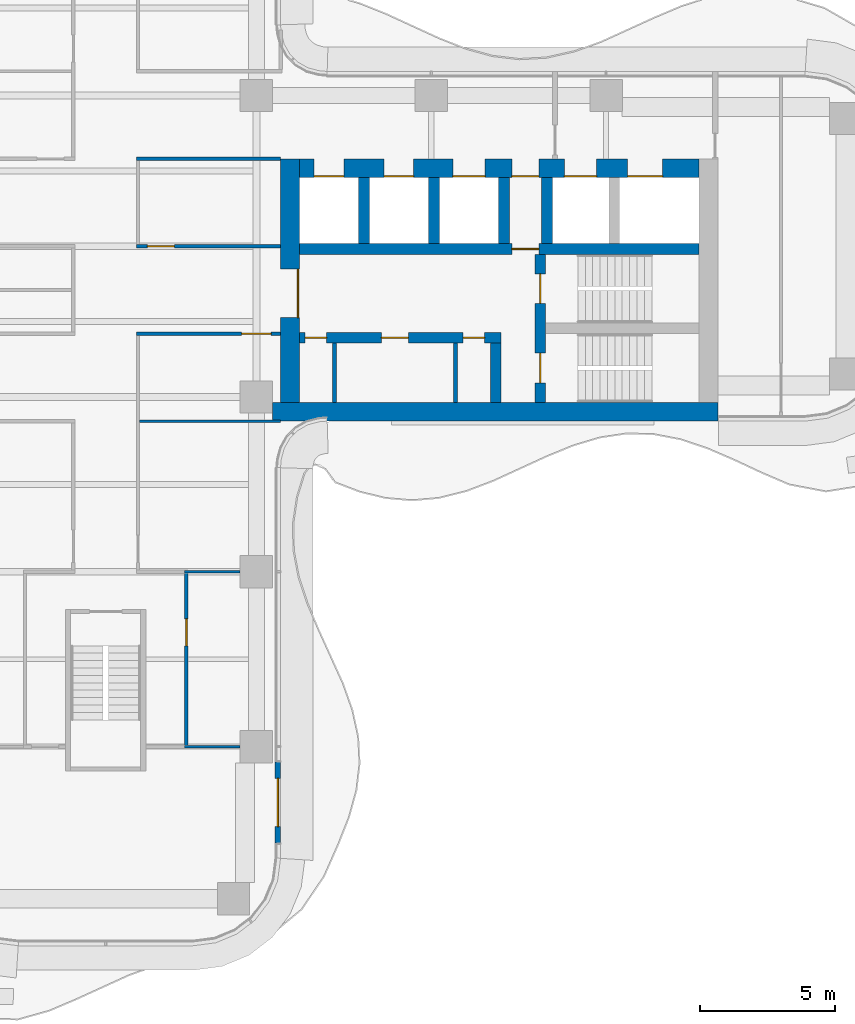
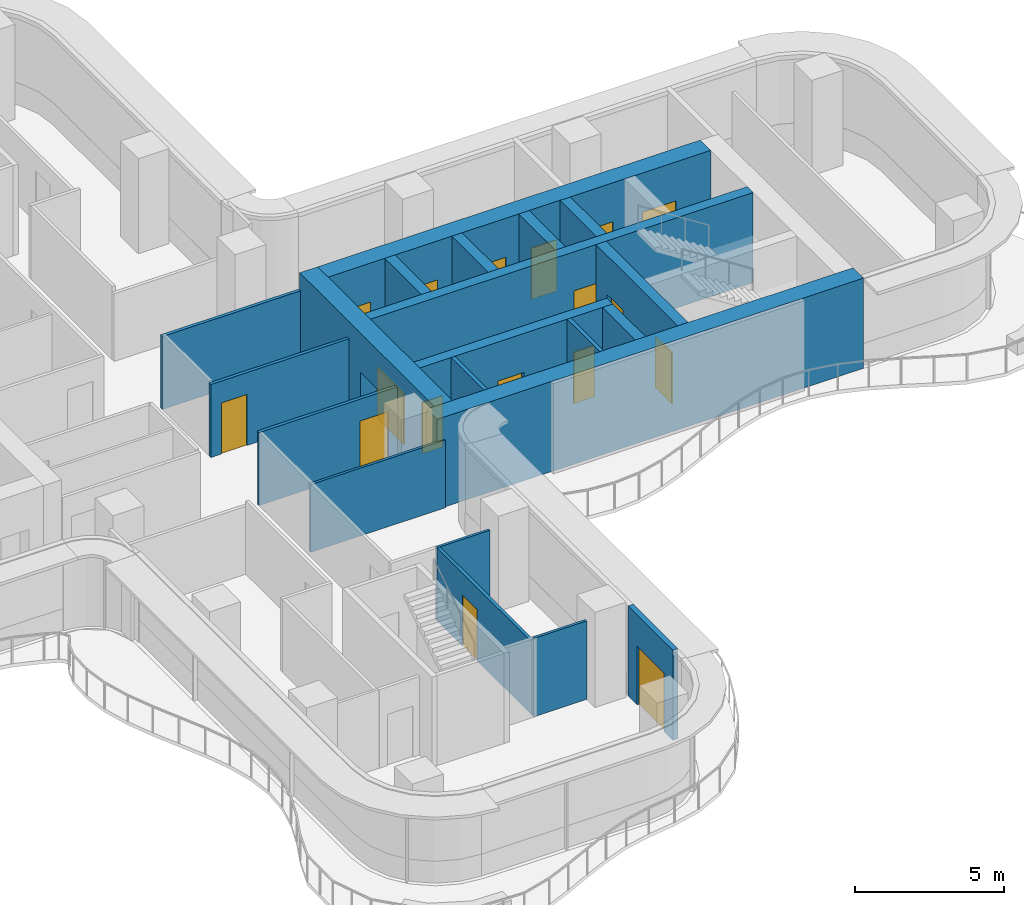
# One storey, part 15 of 19: 21 walls, 17 doors, 17 openings.
"""IFC4 building model written with IfcOpenShell, lengths in metres."""

import ifcopenshell
import ifcopenshell.guid

model = None  # the IFC model being written
_history = None  # IfcOwnerHistory: only IFC2X3 demands one
_inside = {}  # id of a spatial element -> (the spatial element, [elements in it])
_under = {}  # id of a project, library or spatial element -> (it, [spatial elements below it])
_declared = {}  # id of a project -> (the project, [libraries it declares])
_typed = {}  # id of a type object -> (the type object, [elements of that type])
_made_of = {}  # id of a material, layer set ... -> (it, [elements and type objects made of it])


def new_model(schema):
    """Start an empty IFC model of exactly this schema.

    Asked for "IFC4X3", IfcOpenShell would pick the latest addendum, in which some entities
    have other attributes; the version numbers below select the first issue.
    IFC2X3 requires an IfcOwnerHistory on every rooted entity: one is made here for all.
    """
    global model, _history
    if schema == "IFC4X3":
        model = ifcopenshell.file(schema_version=(4, 3, 0, 0))
    else:
        model = ifcopenshell.file(schema=schema)
    _inside.clear()
    _under.clear()
    _declared.clear()
    _typed.clear()
    _made_of.clear()
    _history = None
    if model.schema == "IFC2X3":
        org = make("IfcOrganization", Name="unknown")
        user = make(
            "IfcPersonAndOrganization",
            ThePerson=make("IfcPerson", FamilyName="unknown"),
            TheOrganization=org,
        )
        app = make(
            "IfcApplication",
            ApplicationDeveloper=org,
            Version="unknown",
            ApplicationFullName="unknown",
            ApplicationIdentifier="unknown",
        )
        _history = make(
            "IfcOwnerHistory",
            OwningUser=user,
            OwningApplication=app,
            ChangeAction="ADDED",
            CreationDate=0,
        )
    return model


def make(cls, **values):
    """One entity of the class cls with the attributes given. An attribute that is None is left unset."""
    return model.create_entity(
        cls, **{name: value for name, value in values.items() if value is not None}
    )


def rooted(cls, **values):
    """An entity with a GlobalId (a new one), such as an element, a storey or a relation."""
    return make(cls, GlobalId=ifcopenshell.guid.new(), OwnerHistory=_history, **values)


def si_unit(unit_type, name, prefix=None):
    """IfcSIUnit, for example si_unit("LENGTHUNIT", "METRE", prefix="MILLI")."""
    return make("IfcSIUnit", UnitType=unit_type, Prefix=prefix, Name=name)


def assignment(units):
    """IfcUnitAssignment: the units of a project."""
    return None if units is None else make("IfcUnitAssignment", Units=units)


def point(xyz):
    """IfcCartesianPoint."""
    return None if xyz is None else make("IfcCartesianPoint", Coordinates=xyz)


def direction(xyz):
    """IfcDirection."""
    return None if xyz is None else make("IfcDirection", DirectionRatios=xyz)


def frame(location, z_axis=None, x_axis=None):
    """IfcAxis2Placement3D, a coordinate frame: its origin and axes. An axis left out is left unset."""
    return make(
        "IfcAxis2Placement3D",
        Location=point(location),
        Axis=direction(z_axis),
        RefDirection=direction(x_axis),
    )


def frame_2d(location, x_axis=None):
    """IfcAxis2Placement2D, a coordinate frame in the plane: its origin and x axis."""
    return make(
        "IfcAxis2Placement2D", Location=point(location), RefDirection=direction(x_axis)
    )


def origin():
    """The frame at (0, 0, 0) with its axes left unset."""
    return frame((0.0, 0.0, 0.0))


def place(relative_to, where):
    """IfcLocalPlacement: puts the frame where relative to a parent placement (None: the world)."""
    return make(
        "IfcLocalPlacement", PlacementRelTo=relative_to, RelativePlacement=where
    )


def context(
    kind, dimensions, precision=None, world=None, true_north=None, identifier=None
):
    """IfcGeometricRepresentationContext, for example the 3D "Model" context."""
    return make(
        "IfcGeometricRepresentationContext",
        ContextIdentifier=identifier,
        ContextType=kind,
        CoordinateSpaceDimension=dimensions,
        Precision=precision,
        WorldCoordinateSystem=world,
        TrueNorth=true_north,
    )


def subcontext(parent, identifier, kind, view, scale=None):
    """IfcGeometricRepresentationSubContext, for example "Body" below "Model"."""
    return make(
        "IfcGeometricRepresentationSubContext",
        ContextIdentifier=identifier,
        ContextType=kind,
        ParentContext=parent,
        TargetScale=scale,
        TargetView=view,
    )


def project(units=None, contexts=None):
    """IfcProject with its units and contexts."""
    return rooted(
        "IfcProject",
        Name="project",
        RepresentationContexts=contexts,
        UnitsInContext=assignment(units),
    )


def spatial(cls, under=None, at=None, **own):
    """A site, building, storey or space (cls), placed at a placement, below another one or the project."""
    s = rooted(cls, ObjectPlacement=at, **own)
    if under is not None:
        _under.setdefault(under.id(), (under, []))[1].append(s)
    return s


def profile(cls, at=None, kind="AREA", **sizes):
    """A parametric profile (cls). Its sizes go by their IFC names, for example OverallWidth=200.0."""
    return make(cls, ProfileType=kind, Position=at, **sizes)


def rectangle(**sizes):
    """IfcRectangleProfileDef."""
    return profile("IfcRectangleProfileDef", **sizes)


def extrude(swept, where, along, depth):
    """IfcExtrudedAreaSolid: the profile swept, set in the frame where, extruded along a direction by depth."""
    return make(
        "IfcExtrudedAreaSolid",
        SweptArea=swept,
        Position=where,
        ExtrudedDirection=direction(along),
        Depth=depth,
    )


def shape(context_of_items, identifier, shape_type, items):
    """IfcShapeRepresentation: the items that make up one representation, for example the "Body"."""
    return make(
        "IfcShapeRepresentation",
        ContextOfItems=context_of_items,
        RepresentationIdentifier=identifier,
        RepresentationType=shape_type,
        Items=items,
    )


def source(mapping_origin, context_of_items, identifier, shape_type, items):
    """IfcRepresentationMap: a shape defined once, which mapped items show again and again."""
    return make(
        "IfcRepresentationMap",
        MappingOrigin=mapping_origin,
        MappedRepresentation=shape(context_of_items, identifier, shape_type, items),
    )


def transform(
    local_origin,
    x_axis=None,
    y_axis=None,
    z_axis=None,
    scale=None,
    scale2=None,
    scale3=None,
    uniform=True,
):
    """IfcCartesianTransformationOperator3D, or its non-uniform kind. x_axis, y_axis, z_axis: its Axis1, 2, 3."""
    if uniform:
        return make(
            "IfcCartesianTransformationOperator3D",
            Axis1=direction(x_axis),
            Axis2=direction(y_axis),
            LocalOrigin=point(local_origin),
            Scale=scale,
            Axis3=direction(z_axis),
        )
    return make(
        "IfcCartesianTransformationOperator3DnonUniform",
        Axis1=direction(x_axis),
        Axis2=direction(y_axis),
        LocalOrigin=point(local_origin),
        Scale=scale,
        Axis3=direction(z_axis),
        Scale2=scale2,
        Scale3=scale3,
    )


def mapped(mapping_source, mapping_target):
    """IfcMappedItem: shows the shape of a source again, moved by a transform."""
    return make(
        "IfcMappedItem", MappingSource=mapping_source, MappingTarget=mapping_target
    )


def material(Name=None, Category=None):
    """IfcMaterial."""
    return make("IfcMaterial", Name=Name, Category=Category)


def layer(
    of_material, thickness, ventilated=None, Name=None, Category=None, Priority=None
):
    """IfcMaterialLayer: one layer of a wall or slab, of a material (None: an air gap)."""
    return make(
        "IfcMaterialLayer",
        Material=of_material,
        LayerThickness=thickness,
        IsVentilated=ventilated,
        Name=Name,
        Category=Category,
        Priority=Priority,
    )


def layer_set(layers, Name=None):
    """IfcMaterialLayerSet."""
    return make("IfcMaterialLayerSet", MaterialLayers=layers, LayerSetName=Name)


def made_of(thing, what):
    """Note that an element or type object is made of a material, layer set ...; save() writes the relation."""
    if what is not None:
        _made_of.setdefault(what.id(), (what, []))[1].append(thing)
    return thing


def type_object(cls, material=None, **own):
    """A type object (cls), such as IfcWallType, which elements share."""
    return made_of(rooted(cls, **own), material)


def element(
    cls,
    number,
    at=None,
    inside=None,
    cuts=None,
    type_object=None,
    material=None,
    context=None,
    identifier="Body",
    shape_type=None,
    held_by="IfcProductDefinitionShape",
    body=None,
    shapes=None,
    **own,
):
    """One element of the class cls, such as IfcWall. Its Tag is "e" and its number.

    at: its placement. inside: the storey or other place that contains it. cuts: it is an
    opening in that element (IfcRelVoidsElement). A single representation is given by context,
    identifier, shape_type and body (its items); several are given by shapes. held_by: the class
    of the entity that holds the representations. save() writes the other relations.
    """
    e = rooted(cls, Tag="e%d" % number, ObjectPlacement=at, **own)
    if body is not None:
        shapes = [shape(context, identifier, shape_type, body)]
    if shapes is not None:
        e.Representation = make(held_by, Representations=shapes)
    if inside is not None:
        _inside.setdefault(inside.id(), (inside, []))[1].append(e)
    if cuts is not None:
        rooted(
            "IfcRelVoidsElement", RelatingBuildingElement=cuts, RelatedOpeningElement=e
        )
    if type_object is not None:
        _typed.setdefault(type_object.id(), (type_object, []))[1].append(e)
    return made_of(e, material)


def fill(opening, filler):
    """IfcRelFillsElement: the door or window that sits in an opening."""
    return rooted(
        "IfcRelFillsElement",
        RelatingOpeningElement=opening,
        RelatedBuildingElement=filler,
    )


def aggregate(whole, parts):
    """IfcRelAggregates: a whole, such as a stair, and the parts it consists of."""
    return rooted("IfcRelAggregates", RelatingObject=whole, RelatedObjects=parts)


def save(model, path):
    """Write the relations noted so far, then the file.

    IfcRelAggregates (storeys below a building ...), IfcRelContainedInSpatialStructure (elements
    in a storey), IfcRelDefinesByType, IfcRelAssociatesMaterial and IfcRelDeclares: one each for
    every whole, place, type object, material and project.
    """
    for whole, parts in _under.values():
        aggregate(whole, parts)
    for where, things in _inside.values():
        rooted(
            "IfcRelContainedInSpatialStructure",
            RelatedElements=things,
            RelatingStructure=where,
        )
    for kind, things in _typed.values():
        rooted("IfcRelDefinesByType", RelatedObjects=things, RelatingType=kind)
    for what, things in _made_of.values():
        rooted("IfcRelAssociatesMaterial", RelatedObjects=things, RelatingMaterial=what)
    for by, libraries in _declared.values():
        rooted("IfcRelDeclares", RelatingContext=by, RelatedDefinitions=libraries)
    model.write(path)


model = new_model("IFC4")

# Units and contexts
model_context = context("Model", 3, precision=1e-05, world=origin(), true_north=direction((0.0, 1.0)))
body_context = subcontext(model_context, "Body", "Model", "MODEL_VIEW")
ifc_project = project(units=[si_unit("LENGTHUNIT", "METRE"), si_unit("AREAUNIT", "SQUARE_METRE"), si_unit("VOLUMEUNIT", "CUBIC_METRE"), si_unit("PLANEANGLEUNIT", "RADIAN"), si_unit("MASSUNIT", "GRAM", prefix="KILO")], contexts=[model_context])

# Site, building, storey
site_placement = place(None, origin())
site = spatial("IfcSite", under=ifc_project, at=site_placement, CompositionType="ELEMENT")
building_placement = place(site_placement, origin())
building = spatial("IfcBuilding", under=site, at=building_placement, Name="Trellis Farm Tower", CompositionType="ELEMENT")
storey_placement = place(building_placement, frame((0.0, 0.0, 197.10009765625)))
storey = spatial("IfcBuildingStorey", under=building, at=storey_placement, Name="L43", CompositionType="ELEMENT", Elevation=197.10009765625)

# Wall, opening, door
ifc_material_1 = material(Name="Concrete C70/85", Category="concrete")
ifc_layer_1 = layer(ifc_material_1, 0.699951171875)
ifc_layer_set_1 = layer_set([ifc_layer_1], Name="CORE OUTER WALL 700 CONCRETE C70/85")
wall_type_1 = type_object("IfcWallType", Name="CORE OUTER WALL 700 CONCRETE C70/85", PredefinedType="SHEAR", material=ifc_layer_set_1)
shared_shape_1 = source(origin(), body_context, "Body", "SweptSolid", [
    extrude(rectangle(XDim=9.050048828125, YDim=0.699951171875, at=frame_2d((4.52490234375, 0.0))), origin(), (0.0, 0.0, 1.0), 3.699951171875),
])
wall_1_placement = place(storey_placement, frame((6.85009765625, -5.800048828125, 0.0), z_axis=(0.0, 0.0, 1.0), x_axis=(0.0, 1.0, 0.0)))
wall_1 = element("IfcWall", 1, at=wall_1_placement, inside=storey, type_object=wall_type_1, Name="Core wall", PredefinedType="SHEAR", context=body_context, shape_type="MappedRepresentation", body=[
    mapped(shared_shape_1, transform((0.0, 0.0, 0.0))),
])
shared_shape_2 = source(origin(), body_context, "Body", "SweptSolid", [
    extrude(rectangle(XDim=1.800048828125, YDim=2.10009765625, at=frame_2d((0.89990234375, 1.050048828125))), frame((0.0, 0.360107421875, 0.0), z_axis=(0.0, -1.0, 0.0), x_axis=(1.0, 0.0, 0.0)), (0.0, 0.0, 1.0), 0.72021484375),
])
opening_1_placement = place(wall_1_placement, frame((3.14990234375, 0.0, 0.0)))
opening_1 = element("IfcOpeningElement", 2, at=opening_1_placement, cuts=wall_1, Name="Opening DC1", PredefinedType="OPENING", context=body_context, shape_type="MappedRepresentation", body=[
    mapped(shared_shape_2, transform((0.0, 0.0, 0.0))),
])
ifc_material_2 = material(Name="Steel", Category="steel")
door_type_1 = type_object("IfcDoorType", Name="CORE FIRE DOOR DOUBLE 1800 X 2100", OperationType="DOUBLE_DOOR_SINGLE_SWING", PredefinedType="DOOR", material=ifc_material_2)
shared_shape_3 = source(origin(), body_context, "Body", "SweptSolid", [
    extrude(rectangle(XDim=1.800048828125, YDim=2.10009765625, at=frame_2d((0.89990234375, 1.050048828125))), frame((0.0, -0.27490234375, 0.0), z_axis=(0.0, -1.0, 0.0), x_axis=(1.0, 0.0, 0.0)), (0.0, 0.0, 1.0), 0.050048828125),
])
door_1_placement = place(opening_1_placement, origin())
door_1 = element("IfcDoor", 3, at=door_1_placement, inside=storey, type_object=door_type_1, Name="Core door", OperationType="DOUBLE_DOOR_SINGLE_SWING", OverallHeight=2.10009765625, OverallWidth=1.800048828125, PredefinedType="DOOR", context=body_context, shape_type="MappedRepresentation", body=[
    mapped(shared_shape_3, transform((0.0, 0.0, 0.0))),
])
fill(opening_1, door_1)

# Walls
ifc_layer_2 = layer(ifc_material_1, 0.39990234375)
ifc_layer_set_2 = layer_set([ifc_layer_2], Name="CORE INNER WALL 400 CONCRETE C70/85")
wall_type_2 = type_object("IfcWallType", Name="CORE INNER WALL 400 CONCRETE C70/85", PredefinedType="SHEAR", material=ifc_layer_set_2)
shared_shape_4 = source(origin(), body_context, "Body", "SweptSolid", [
    extrude(rectangle(XDim=2.449951171875, YDim=0.39990234375, at=frame_2d((1.22509765625, 0.0))), origin(), (0.0, 0.0, 1.0), 3.699951171875),
])
for number, where, z_axis, x_axis, name in (
    (4, (9.60009765625, 0.10009765625, 0.0), (0.0, 0.0, 1.0), (0.0, 1.0, 0.0), "Core wall"),
    (5, (12.199951171875, 0.10009765625, 0.0), (0.0, 0.0, 1.0), (0.0, 1.0, 0.0), "Core wall"),
    (6, (14.800048828125, 0.10009765625, 0.0), (0.0, 0.0, 1.0), (0.0, 1.0, 0.0), "Core wall"),
    (7, (16.39990234375, 0.10009765625, 0.0), (0.0, 0.0, 1.0), (0.0, 1.0, 0.0), "Core wall"),
):
    element("IfcWall", number, at=place(storey_placement, frame(where, z_axis=z_axis, x_axis=x_axis)), inside=storey, type_object=wall_type_2, Name=name, PredefinedType="SHEAR", context=body_context, shape_type="MappedRepresentation", body=[
        mapped(shared_shape_4, transform((0.0, 0.0, 0.0))),
    ])
shared_shape_5 = source(origin(), body_context, "Body", "SweptSolid", [
    extrude(rectangle(XDim=16.550048828125, YDim=0.699951171875, at=frame_2d((8.27490234375, 0.0))), origin(), (0.0, 0.0, 1.0), 3.699951171875),
])
wall_2_placement = place(storey_placement, frame((6.199951171875, -6.14990234375, 0.0), z_axis=(0.0, 0.0, 1.0), x_axis=(1.0, 0.0, 0.0)))
element("IfcWall", 8, at=wall_2_placement, inside=storey, type_object=wall_type_1, Name="Core wall", PredefinedType="SHEAR", context=body_context, shape_type="MappedRepresentation", body=[
    mapped(shared_shape_5, transform((0.0, 0.0, 0.0))),
])

# Wall, openings, doors
shared_shape_6 = source(origin(), body_context, "Body", "SweptSolid", [
    extrude(rectangle(XDim=14.85009765625, YDim=0.699951171875, at=frame_2d((7.425048828125, 0.0))), origin(), (0.0, 0.0, 1.0), 3.699951171875),
])
wall_3_placement = place(storey_placement, frame((7.199951171875, 2.89990234375, 0.0), z_axis=(0.0, 0.0, 1.0), x_axis=(1.0, 0.0, 0.0)))
wall_3 = element("IfcWall", 9, at=wall_3_placement, inside=storey, type_object=wall_type_1, Name="Core wall", PredefinedType="SHEAR", context=body_context, shape_type="MappedRepresentation", body=[
    mapped(shared_shape_6, transform((0.0, 0.0, 0.0))),
])
shared_shape_7 = source(origin(), body_context, "Body", "SweptSolid", [
    extrude(rectangle(XDim=1.10009765625, YDim=2.10009765625, at=frame_2d((0.550048828125, 1.050048828125))), frame((0.0, 0.360107421875, 0.0), z_axis=(0.0, -1.0, 0.0), x_axis=(1.0, 0.0, 0.0)), (0.0, 0.0, 1.0), 0.72021484375),
])
opening_2_placement = place(wall_3_placement, frame((0.550048828125, 0.0, 0.0)))
opening_2 = element("IfcOpeningElement", 10, at=opening_2_placement, cuts=wall_3, Name="Opening LD4", PredefinedType="OPENING", context=body_context, shape_type="MappedRepresentation", body=[
    mapped(shared_shape_7, transform((0.0, 0.0, 0.0))),
])
opening_3_placement = place(wall_3_placement, frame((3.14990234375, 0.0, 0.0)))
opening_3 = element("IfcOpeningElement", 11, at=opening_3_placement, cuts=wall_3, Name="Opening LD5", PredefinedType="OPENING", context=body_context, shape_type="MappedRepresentation", body=[
    mapped(shared_shape_7, transform((0.0, 0.0, 0.0))),
])
shared_shape_8 = source(origin(), body_context, "Body", "SweptSolid", [
    extrude(rectangle(XDim=1.199951171875, YDim=2.10009765625, at=frame_2d((0.60009765625, 1.050048828125))), frame((0.0, 0.360107421875, 0.0), z_axis=(0.0, -1.0, 0.0), x_axis=(1.0, 0.0, 0.0)), (0.0, 0.0, 1.0), 0.72021484375),
])
opening_4_placement = place(wall_3_placement, frame((5.699951171875, 0.0, 0.0)))
opening_4 = element("IfcOpeningElement", 12, at=opening_4_placement, cuts=wall_3, Name="Opening LD6", PredefinedType="OPENING", context=body_context, shape_type="MappedRepresentation", body=[
    mapped(shared_shape_8, transform((0.0, 0.0, 0.0))),
])
shared_shape_9 = source(origin(), body_context, "Body", "SweptSolid", [
    extrude(rectangle(XDim=1.300048828125, YDim=2.10009765625, at=frame_2d((0.64990234375, 1.050048828125))), frame((0.0, 0.360107421875, 0.0), z_axis=(0.0, -1.0, 0.0), x_axis=(1.0, 0.0, 0.0)), (0.0, 0.0, 1.0), 0.72021484375),
])
opening_5_placement = place(wall_3_placement, frame((12.199951171875, 0.0, 0.0)))
opening_5 = element("IfcOpeningElement", 13, at=opening_5_placement, cuts=wall_3, Name="Opening LD7", PredefinedType="OPENING", context=body_context, shape_type="MappedRepresentation", body=[
    mapped(shared_shape_9, transform((0.0, 0.0, 0.0))),
])
opening_6_placement = place(wall_3_placement, frame((9.85009765625, 0.0, 0.0)))
opening_6 = element("IfcOpeningElement", 14, at=opening_6_placement, cuts=wall_3, Name="Opening LD8", PredefinedType="OPENING", context=body_context, shape_type="MappedRepresentation", body=[
    mapped(shared_shape_8, transform((0.0, 0.0, 0.0))),
])
shared_shape_10 = source(origin(), body_context, "Body", "SweptSolid", [
    extrude(rectangle(XDim=1.0, YDim=2.10009765625, at=frame_2d((0.5, 1.050048828125))), frame((0.0, 0.360107421875, 0.0), z_axis=(0.0, -1.0, 0.0), x_axis=(1.0, 0.0, 0.0)), (0.0, 0.0, 1.0), 0.72021484375),
])
opening_7_placement = place(wall_3_placement, frame((7.89990234375, 0.0, 0.0)))
opening_7 = element("IfcOpeningElement", 15, at=opening_7_placement, cuts=wall_3, Name="Opening DC6", PredefinedType="OPENING", context=body_context, shape_type="MappedRepresentation", body=[
    mapped(shared_shape_10, transform((0.0, 0.0, 0.0))),
])
door_type_2 = type_object("IfcDoorType", Name="CORE FIRE DOOR 1000 X 2100", OperationType="NOTDEFINED", PredefinedType="DOOR", material=ifc_material_2)
shared_shape_11 = source(origin(), body_context, "Body", "SweptSolid", [
    extrude(rectangle(XDim=1.0, YDim=2.10009765625, at=frame_2d((0.5, 1.050048828125))), frame((0.0, -0.27490234375, 0.0), z_axis=(0.0, -1.0, 0.0), x_axis=(1.0, 0.0, 0.0)), (0.0, 0.0, 1.0), 0.050048828125),
])
door_2_placement = place(opening_7_placement, origin())
door_2 = element("IfcDoor", 16, at=door_2_placement, inside=storey, type_object=door_type_2, Name="Core door", OperationType="SINGLE_SWING_LEFT", OverallHeight=2.10009765625, OverallWidth=1.0, PredefinedType="DOOR", context=body_context, shape_type="MappedRepresentation", body=[
    mapped(shared_shape_11, transform((0.0, 0.0, 0.0))),
])
fill(opening_7, door_2)
ifc_material_3 = material(Name="Stainless steel", Category="steel")
door_type_3 = type_object("IfcDoorType", Name="LIFT LANDING DOOR 1300 X 2100", OperationType="DOUBLE_DOOR_SLIDING", PredefinedType="DOOR", material=ifc_material_3)
shared_shape_12 = source(origin(), body_context, "Body", "SweptSolid", [
    extrude(rectangle(XDim=1.300048828125, YDim=2.10009765625, at=frame_2d((0.64990234375, 1.050048828125))), frame((0.0, -0.27490234375, 0.0), z_axis=(0.0, -1.0, 0.0), x_axis=(1.0, 0.0, 0.0)), (0.0, 0.0, 1.0), 0.050048828125),
])
door_3_placement = place(opening_5_placement, origin())
door_3 = element("IfcDoor", 17, at=door_3_placement, inside=storey, type_object=door_type_3, Name="Lift landing door", OperationType="DOUBLE_DOOR_SLIDING", OverallHeight=2.10009765625, OverallWidth=1.300048828125, PredefinedType="DOOR", context=body_context, shape_type="MappedRepresentation", body=[
    mapped(shared_shape_12, transform((0.0, 0.0, 0.0))),
])
fill(opening_5, door_3)
door_type_4 = type_object("IfcDoorType", Name="LIFT LANDING DOOR 1200 X 2100", OperationType="DOUBLE_DOOR_SLIDING", PredefinedType="DOOR", material=ifc_material_3)
shared_shape_13 = source(origin(), body_context, "Body", "SweptSolid", [
    extrude(rectangle(XDim=1.199951171875, YDim=2.10009765625, at=frame_2d((0.60009765625, 1.050048828125))), frame((0.0, -0.27490234375, 0.0), z_axis=(0.0, -1.0, 0.0), x_axis=(1.0, 0.0, 0.0)), (0.0, 0.0, 1.0), 0.050048828125),
])
door_4_placement = place(opening_4_placement, origin())
door_4 = element("IfcDoor", 18, at=door_4_placement, inside=storey, type_object=door_type_4, Name="Lift landing door", OperationType="DOUBLE_DOOR_SLIDING", OverallHeight=2.10009765625, OverallWidth=1.199951171875, PredefinedType="DOOR", context=body_context, shape_type="MappedRepresentation", body=[
    mapped(shared_shape_13, transform((0.0, 0.0, 0.0))),
])
fill(opening_4, door_4)
door_5_placement = place(opening_6_placement, origin())
door_5 = element("IfcDoor", 19, at=door_5_placement, inside=storey, type_object=door_type_4, Name="Lift landing door", OperationType="DOUBLE_DOOR_SLIDING", OverallHeight=2.10009765625, OverallWidth=1.199951171875, PredefinedType="DOOR", context=body_context, shape_type="MappedRepresentation", body=[
    mapped(shared_shape_13, transform((0.0, 0.0, 0.0))),
])
fill(opening_6, door_5)
door_type_5 = type_object("IfcDoorType", Name="LIFT LANDING DOOR 1100 X 2100", OperationType="DOUBLE_DOOR_SLIDING", PredefinedType="DOOR", material=ifc_material_3)
shared_shape_14 = source(origin(), body_context, "Body", "SweptSolid", [
    extrude(rectangle(XDim=1.10009765625, YDim=2.10009765625, at=frame_2d((0.550048828125, 1.050048828125))), frame((0.0, -0.27490234375, 0.0), z_axis=(0.0, -1.0, 0.0), x_axis=(1.0, 0.0, 0.0)), (0.0, 0.0, 1.0), 0.050048828125),
])
door_6_placement = place(opening_2_placement, origin())
door_6 = element("IfcDoor", 20, at=door_6_placement, inside=storey, type_object=door_type_5, Name="Lift landing door", OperationType="DOUBLE_DOOR_SLIDING", OverallHeight=2.10009765625, OverallWidth=1.10009765625, PredefinedType="DOOR", context=body_context, shape_type="MappedRepresentation", body=[
    mapped(shared_shape_14, transform((0.0, 0.0, 0.0))),
])
fill(opening_2, door_6)
door_7_placement = place(opening_3_placement, origin())
door_7 = element("IfcDoor", 21, at=door_7_placement, inside=storey, type_object=door_type_5, Name="Lift landing door", OperationType="DOUBLE_DOOR_SLIDING", OverallHeight=2.10009765625, OverallWidth=1.10009765625, PredefinedType="DOOR", context=body_context, shape_type="MappedRepresentation", body=[
    mapped(shared_shape_14, transform((0.0, 0.0, 0.0))),
])
fill(opening_3, door_7)

shared_shape_15 = source(origin(), body_context, "Body", "SweptSolid", [
    extrude(rectangle(XDim=7.5, YDim=0.39990234375, at=frame_2d((3.75, 0.0))), origin(), (0.0, 0.0, 1.0), 3.699951171875),
])
wall_4_placement = place(storey_placement, frame((7.199951171875, -3.39990234375, 0.0), z_axis=(0.0, 0.0, 1.0), x_axis=(1.0, 0.0, 0.0)))
wall_4 = element("IfcWall", 22, at=wall_4_placement, inside=storey, type_object=wall_type_2, Name="Core wall", PredefinedType="SHEAR", context=body_context, shape_type="MappedRepresentation", body=[
    mapped(shared_shape_15, transform((0.0, 0.0, 0.0))),
])
shared_shape_16 = source(origin(), body_context, "Body", "SweptSolid", [
    extrude(rectangle(XDim=0.800048828125, YDim=2.10009765625, at=frame_2d((0.39990234375, 1.050048828125))), frame((0.0, 0.2099609375, 0.0), z_axis=(0.0, -1.0, 0.0), x_axis=(1.0, 0.0, 0.0)), (0.0, 0.0, 1.0), 0.419921875),
])
opening_8_placement = place(wall_4_placement, frame((0.21240234375, 0.0, 0.0)))
opening_8 = element("IfcOpeningElement", 23, at=opening_8_placement, cuts=wall_4, Name="Opening DC51", PredefinedType="OPENING", context=body_context, shape_type="MappedRepresentation", body=[
    mapped(shared_shape_16, transform((0.0, 0.0, 0.0))),
])
shared_shape_17 = source(origin(), body_context, "Body", "SweptSolid", [
    extrude(rectangle(XDim=1.0, YDim=2.10009765625, at=frame_2d((0.5, 1.050048828125))), frame((0.0, 0.2099609375, 0.0), z_axis=(0.0, -1.0, 0.0), x_axis=(1.0, 0.0, 0.0)), (0.0, 0.0, 1.0), 0.419921875),
])
opening_9_placement = place(wall_4_placement, frame((3.050048828125, 0.0, 0.0)))
opening_9 = element("IfcOpeningElement", 24, at=opening_9_placement, cuts=wall_4, Name="Opening DC62", PredefinedType="OPENING", context=body_context, shape_type="MappedRepresentation", body=[
    mapped(shared_shape_17, transform((0.0, 0.0, 0.0))),
])
opening_10_placement = place(wall_4_placement, frame((6.08740234375, 0.0, 0.0)))
opening_10 = element("IfcOpeningElement", 25, at=opening_10_placement, cuts=wall_4, Name="Opening DC63", PredefinedType="OPENING", context=body_context, shape_type="MappedRepresentation", body=[
    mapped(shared_shape_16, transform((0.0, 0.0, 0.0))),
])
shared_shape_18 = source(origin(), body_context, "Body", "SweptSolid", [
    extrude(rectangle(XDim=1.0, YDim=2.10009765625, at=frame_2d((0.5, 1.050048828125))), frame((0.0, 0.02490234375, 0.0), z_axis=(0.0, -1.0, 0.0), x_axis=(1.0, 0.0, 0.0)), (0.0, 0.0, 1.0), 0.050048828125),
])
door_8_placement = place(opening_9_placement, origin())
door_8 = element("IfcDoor", 26, at=door_8_placement, inside=storey, type_object=door_type_2, Name="Core door", OperationType="SINGLE_SWING_RIGHT", OverallHeight=2.10009765625, OverallWidth=1.0, PredefinedType="DOOR", context=body_context, shape_type="MappedRepresentation", body=[
    mapped(shared_shape_18, transform((0.0, 0.0, 0.0))),
])
fill(opening_9, door_8)
door_type_6 = type_object("IfcDoorType", Name="CORE FIRE DOOR 800 X 2100", OperationType="NOTDEFINED", PredefinedType="DOOR", material=ifc_material_2)
shared_shape_19 = source(origin(), body_context, "Body", "SweptSolid", [
    extrude(rectangle(XDim=0.800048828125, YDim=2.10009765625, at=frame_2d((0.39990234375, 1.050048828125))), frame((0.0, 0.02490234375, 0.0), z_axis=(0.0, -1.0, 0.0), x_axis=(1.0, 0.0, 0.0)), (0.0, 0.0, 1.0), 0.050048828125),
])
door_9_placement = place(opening_8_placement, origin())
door_9 = element("IfcDoor", 27, at=door_9_placement, inside=storey, type_object=door_type_6, Name="Core door", OperationType="SINGLE_SWING_LEFT", OverallHeight=2.10009765625, OverallWidth=0.800048828125, PredefinedType="DOOR", context=body_context, shape_type="MappedRepresentation", body=[
    mapped(shared_shape_19, transform((0.0, 0.0, 0.0))),
])
fill(opening_8, door_9)
door_10_placement = place(opening_10_placement, origin())
door_10 = element("IfcDoor", 28, at=door_10_placement, inside=storey, type_object=door_type_6, Name="Core door", OperationType="SINGLE_SWING_LEFT", OverallHeight=2.10009765625, OverallWidth=0.800048828125, PredefinedType="DOOR", context=body_context, shape_type="MappedRepresentation", body=[
    mapped(shared_shape_19, transform((0.0, 0.0, 0.0))),
])
fill(opening_10, door_10)

# Wall, opening, door
shared_shape_20 = source(origin(), body_context, "Body", "SweptSolid", [
    extrude(rectangle(XDim=14.85009765625, YDim=0.39990234375, at=frame_2d((7.425048828125, 0.0))), origin(), (0.0, 0.0, 1.0), 3.699951171875),
])
wall_5_placement = place(storey_placement, frame((7.199951171875, -0.10009765625, 0.0), z_axis=(0.0, 0.0, 1.0), x_axis=(1.0, 0.0, 0.0)))
wall_5 = element("IfcWall", 29, at=wall_5_placement, inside=storey, type_object=wall_type_2, Name="Core wall", PredefinedType="SHEAR", context=body_context, shape_type="MappedRepresentation", body=[
    mapped(shared_shape_20, transform((0.0, 0.0, 0.0))),
])
opening_11_placement = place(wall_5_placement, frame((7.89990234375, 0.0, 0.0)))
opening_11 = element("IfcOpeningElement", 30, at=opening_11_placement, cuts=wall_5, Name="Opening DC5", PredefinedType="OPENING", context=body_context, shape_type="MappedRepresentation", body=[
    mapped(shared_shape_17, transform((0.0, 0.0, 0.0))),
])
door_11_placement = place(opening_11_placement, origin())
door_11 = element("IfcDoor", 31, at=door_11_placement, inside=storey, type_object=door_type_2, Name="Core door", OperationType="SINGLE_SWING_RIGHT", OverallHeight=2.10009765625, OverallWidth=1.0, PredefinedType="DOOR", context=body_context, shape_type="MappedRepresentation", body=[
    mapped(shared_shape_18, transform((0.0, 0.0, 0.0))),
])
fill(opening_11, door_11)

# Wall, openings, doors
shared_shape_21 = source(origin(), body_context, "Body", "SweptSolid", [
    extrude(rectangle(XDim=5.5, YDim=0.39990234375, at=frame_2d((2.75, 0.0))), origin(), (0.0, 0.0, 1.0), 3.699951171875),
])
wall_6_placement = place(storey_placement, frame((16.14990234375, -5.800048828125, 0.0), z_axis=(0.0, 0.0, 1.0), x_axis=(0.0, 1.0, 0.0)))
wall_6 = element("IfcWall", 32, at=wall_6_placement, inside=storey, type_object=wall_type_2, Name="Core wall", PredefinedType="SHEAR", context=body_context, shape_type="MappedRepresentation", body=[
    mapped(shared_shape_21, transform((0.0, 0.0, 0.0))),
])
shared_shape_22 = source(origin(), body_context, "Body", "SweptSolid", [
    extrude(rectangle(XDim=1.10009765625, YDim=2.10009765625, at=frame_2d((0.550048828125, 1.050048828125))), frame((0.0, 0.2099609375, 0.0), z_axis=(0.0, -1.0, 0.0), x_axis=(1.0, 0.0, 0.0)), (0.0, 0.0, 1.0), 0.419921875),
])
opening_12_placement = place(wall_6_placement, frame((0.72509765625, 0.0, 0.0)))
opening_12 = element("IfcOpeningElement", 33, at=opening_12_placement, cuts=wall_6, Name="Opening DC2", PredefinedType="OPENING", context=body_context, shape_type="MappedRepresentation", body=[
    mapped(shared_shape_22, transform((0.0, 0.0, 0.0))),
])
opening_13_placement = place(wall_6_placement, frame((3.675048828125, 0.0, 0.0)))
opening_13 = element("IfcOpeningElement", 34, at=opening_13_placement, cuts=wall_6, Name="Opening DC3", PredefinedType="OPENING", context=body_context, shape_type="MappedRepresentation", body=[
    mapped(shared_shape_22, transform((0.0, 0.0, 0.0))),
])
door_type_7 = type_object("IfcDoorType", Name="CORE FIRE DOOR 1100 X 2100", OperationType="NOTDEFINED", PredefinedType="DOOR", material=ifc_material_2)
shared_shape_23 = source(origin(), body_context, "Body", "SweptSolid", [
    extrude(rectangle(XDim=1.10009765625, YDim=2.10009765625, at=frame_2d((0.550048828125, 1.050048828125))), frame((0.0, 0.02490234375, 0.0), z_axis=(0.0, -1.0, 0.0), x_axis=(1.0, 0.0, 0.0)), (0.0, 0.0, 1.0), 0.050048828125),
])
door_12_placement = place(opening_12_placement, origin())
door_12 = element("IfcDoor", 35, at=door_12_placement, inside=storey, type_object=door_type_7, Name="Core door", OperationType="SINGLE_SWING_RIGHT", OverallHeight=2.10009765625, OverallWidth=1.10009765625, PredefinedType="DOOR", context=body_context, shape_type="MappedRepresentation", body=[
    mapped(shared_shape_23, transform((0.0, 0.0, 0.0))),
])
fill(opening_12, door_12)
door_13_placement = place(opening_13_placement, origin())
door_13 = element("IfcDoor", 36, at=door_13_placement, inside=storey, type_object=door_type_7, Name="Core door", OperationType="SINGLE_SWING_LEFT", OverallHeight=2.10009765625, OverallWidth=1.10009765625, PredefinedType="DOOR", context=body_context, shape_type="MappedRepresentation", body=[
    mapped(shared_shape_23, transform((0.0, 0.0, 0.0))),
])
fill(opening_13, door_13)

# Walls
shared_shape_24 = source(origin(), body_context, "Body", "SweptSolid", [
    extrude(rectangle(XDim=2.199951171875, YDim=0.39990234375, at=frame_2d((1.10009765625, 0.0))), origin(), (0.0, 0.0, 1.0), 3.699951171875),
])
wall_7_placement = place(storey_placement, frame((14.5, -5.800048828125, 0.0), z_axis=(0.0, 0.0, 1.0), x_axis=(0.0, 1.0, 0.0)))
element("IfcWall", 37, at=wall_7_placement, inside=storey, type_object=wall_type_2, Name="Core wall", PredefinedType="SHEAR", context=body_context, shape_type="MappedRepresentation", body=[
    mapped(shared_shape_24, transform((0.0, 0.0, 0.0))),
])
ifc_material_4 = material(Name="Masonry blockwork", Category="masonry")
ifc_layer_3 = layer(ifc_material_4, 0.14990234375)
ifc_layer_set_3 = layer_set([ifc_layer_3], Name="CORE PARTITION 150 BLOCKWORK")
wall_type_3 = type_object("IfcWallType", Name="CORE PARTITION 150 BLOCKWORK", PredefinedType="PARTITIONING", material=ifc_layer_set_3)
shared_shape_25 = source(origin(), body_context, "Body", "SweptSolid", [
    extrude(rectangle(XDim=2.199951171875, YDim=0.14990234375, at=frame_2d((1.10009765625, 0.0))), origin(), (0.0, 0.0, 1.0), 3.699951171875),
])
for number, where, z_axis, x_axis, name in (
    (38, (8.5, -5.800048828125, 0.0), (0.0, 0.0, 1.0), (0.0, 1.0, 0.0), "Core room partition"),
    (39, (13.0, -5.800048828125, 0.0), (0.0, 0.0, 1.0), (0.0, 1.0, 0.0), "Core room partition"),
):
    element("IfcWall", number, at=place(storey_placement, frame(where, z_axis=z_axis, x_axis=x_axis)), inside=storey, type_object=wall_type_3, Name=name, PredefinedType="PARTITIONING", context=body_context, shape_type="MappedRepresentation", body=[
        mapped(shared_shape_25, transform((0.0, 0.0, 0.0))),
    ])

# Wall, opening, door
ifc_material_5 = material(Name="Sandstone faced insulated wall", Category="masonry")
ifc_layer_4 = layer(ifc_material_5, 0.199951171875)
ifc_layer_set_4 = layer_set([ifc_layer_4], Name="EXTERNAL INFILL WALL 200")
wall_type_4 = type_object("IfcWallType", Name="EXTERNAL INFILL WALL 200", PredefinedType="SOLIDWALL", material=ifc_layer_set_4)
shared_shape_26 = source(origin(), body_context, "Body", "SweptSolid", [
    extrude(rectangle(XDim=3.0, YDim=0.199951171875, at=frame_2d((1.5, 0.0))), origin(), (0.0, 0.0, 1.0), 3.699951171875),
])
wall_8_placement = place(storey_placement, frame((6.39990234375, -22.175048828125, 0.0), z_axis=(0.0, 0.0, 1.0), x_axis=(0.0, 1.0, 0.0)))
wall_8 = element("IfcWall", 40, at=wall_8_placement, inside=storey, type_object=wall_type_4, Name="EW1 01", PredefinedType="SOLIDWALL", context=body_context, shape_type="MappedRepresentation", body=[
    mapped(shared_shape_26, transform((0.0, 0.0, 0.0))),
])
shared_shape_27 = source(origin(), body_context, "Body", "SweptSolid", [
    extrude(rectangle(XDim=1.800048828125, YDim=2.39990234375, at=frame_2d((0.89990234375, 1.199951171875))), frame((0.0, 0.110107421875, 0.0), z_axis=(0.0, -1.0, 0.0), x_axis=(1.0, 0.0, 0.0)), (0.0, 0.0, 1.0), 0.22021484375),
])
opening_14_placement = place(wall_8_placement, frame((0.60009765625, 0.0, 0.0)))
opening_14 = element("IfcOpeningElement", 41, at=opening_14_placement, cuts=wall_8, Name="Opening ED1", PredefinedType="OPENING", context=body_context, shape_type="MappedRepresentation", body=[
    mapped(shared_shape_27, transform((0.0, 0.0, 0.0))),
])
ifc_material_6 = material(Name="Aluminium framed glazed door", Category="aluminium")
door_type_8 = type_object("IfcDoorType", Name="BALCONY DOOR 1800x2400", OperationType="DOUBLE_DOOR_SINGLE_SWING", PredefinedType="DOOR", material=ifc_material_6)
shared_shape_28 = source(origin(), body_context, "Body", "SweptSolid", [
    extrude(rectangle(XDim=1.800048828125, YDim=2.39990234375, at=frame_2d((0.89990234375, 1.199951171875))), frame((0.0, 0.02490234375, 0.0), z_axis=(0.0, -1.0, 0.0), x_axis=(1.0, 0.0, 0.0)), (0.0, 0.0, 1.0), 0.050048828125),
])
door_14_placement = place(opening_14_placement, origin())
door_14 = element("IfcDoor", 42, at=door_14_placement, inside=storey, type_object=door_type_8, Name="Balcony door", OperationType="DOUBLE_DOOR_SINGLE_SWING", OverallHeight=2.39990234375, OverallWidth=1.800048828125, PredefinedType="DOOR", context=body_context, shape_type="MappedRepresentation", body=[
    mapped(shared_shape_28, transform((0.0, 0.0, 0.0))),
])
fill(opening_14, door_14)

ifc_material_7 = material(Name="Plasterboard on steel studs, mineral wool", Category="steel")
ifc_layer_5 = layer(ifc_material_7, 0.125)
ifc_layer_set_5 = layer_set([ifc_layer_5], Name="PARTITION 125 STUD EI 60")
wall_type_5 = type_object("IfcWallType", Name="PARTITION 125 STUD EI 60", PredefinedType="PARTITIONING", material=ifc_layer_set_5)
shared_shape_29 = source(origin(), body_context, "Body", "SweptSolid", [
    extrude(rectangle(XDim=5.362548828125, YDim=0.125, at=frame_2d((2.68115234375, 0.0))), origin(), (0.0, 0.0, 1.0), 2.99658203125),
])
wall_9_placement = place(storey_placement, frame((6.5, -3.25, 0.0), z_axis=(0.0, 0.0, 1.0), x_axis=(-1.0, 0.0, 0.0)))
wall_9 = element("IfcWall", 43, at=wall_9_placement, inside=storey, type_object=wall_type_5, Name="Partition PW1", PredefinedType="PARTITIONING", context=body_context, shape_type="MappedRepresentation", body=[
    mapped(shared_shape_29, transform((0.0, 0.0, 0.0))),
])
shared_shape_30 = source(origin(), body_context, "Body", "SweptSolid", [
    extrude(rectangle(XDim=1.10009765625, YDim=2.10009765625, at=frame_2d((0.550048828125, 1.050048828125))), frame((0.0, 0.072509765625, 0.0), z_axis=(0.0, -1.0, 0.0), x_axis=(1.0, 0.0, 0.0)), (0.0, 0.0, 1.0), 0.14501953125),
])
opening_15_placement = place(wall_9_placement, frame((0.35009765625, 0.0, 0.0)))
opening_15 = element("IfcOpeningElement", 44, at=opening_15_placement, cuts=wall_9, Name="Opening D501", PredefinedType="OPENING", context=body_context, shape_type="MappedRepresentation", body=[
    mapped(shared_shape_30, transform((0.0, 0.0, 0.0))),
])
ifc_material_8 = material(Name="Fire-rated timber door leaf in a hollow metal frame", Category="wood")
door_type_9 = type_object("IfcDoorType", Name="DOOR 1100x2100 FD30S", OperationType="NOTDEFINED", PredefinedType="DOOR", material=ifc_material_8)
door_15_placement = place(opening_15_placement, origin())
door_15 = element("IfcDoor", 45, at=door_15_placement, inside=storey, type_object=door_type_9, Name="Door D501", OperationType="SINGLE_SWING_LEFT", OverallHeight=2.10009765625, OverallWidth=1.10009765625, PredefinedType="DOOR", context=body_context, shape_type="MappedRepresentation", body=[
    mapped(shared_shape_23, transform((0.0, 0.0, 0.0))),
])
fill(opening_15, door_15)

wall_10_placement = place(storey_placement, frame((6.5, 0.0, 0.0), z_axis=(0.0, 0.0, 1.0), x_axis=(-1.0, 0.0, 0.0)))
wall_10 = element("IfcWall", 46, at=wall_10_placement, inside=storey, type_object=wall_type_5, Name="Partition PW1", PredefinedType="PARTITIONING", context=body_context, shape_type="MappedRepresentation", body=[
    mapped(shared_shape_29, transform((0.0, 0.0, 0.0))),
])
shared_shape_31 = source(origin(), body_context, "Body", "SweptSolid", [
    extrude(rectangle(XDim=1.0, YDim=2.10009765625, at=frame_2d((0.5, 1.050048828125))), frame((0.0, 0.072509765625, 0.0), z_axis=(0.0, -1.0, 0.0), x_axis=(1.0, 0.0, 0.0)), (0.0, 0.0, 1.0), 0.14501953125),
])
opening_16_placement = place(wall_10_placement, frame((3.949951171875, 0.0, 0.0)))
opening_16 = element("IfcOpeningElement", 47, at=opening_16_placement, cuts=wall_10, Name="Opening D107", PredefinedType="OPENING", context=body_context, shape_type="MappedRepresentation", body=[
    mapped(shared_shape_31, transform((0.0, 0.0, 0.0))),
])
door_type_10 = type_object("IfcDoorType", Name="DOOR 1000x2100 FD30S", OperationType="NOTDEFINED", PredefinedType="DOOR", material=ifc_material_8)
door_16_placement = place(opening_16_placement, origin())
door_16 = element("IfcDoor", 48, at=door_16_placement, inside=storey, type_object=door_type_10, Name="Door D107", OperationType="SINGLE_SWING_RIGHT", OverallHeight=2.10009765625, OverallWidth=1.0, PredefinedType="DOOR", context=body_context, shape_type="MappedRepresentation", body=[
    mapped(shared_shape_18, transform((0.0, 0.0, 0.0))),
])
fill(opening_16, door_16)

# Walls
wall_11_placement = place(storey_placement, frame((1.137451171875, 3.25, 0.0), z_axis=(0.0, 0.0, 1.0), x_axis=(1.0, 0.0, 0.0)))
element("IfcWall", 49, at=wall_11_placement, inside=storey, type_object=wall_type_5, Name="Partition PW1", PredefinedType="PARTITIONING", context=body_context, shape_type="MappedRepresentation", body=[
    mapped(shared_shape_29, transform((0.0, 0.0, 0.0))),
])
ifc_material_9 = material(Name="Plasterboard on steel studs", Category="steel")
ifc_layer_6 = layer(ifc_material_9, 0.10009765625)
ifc_layer_set_6 = layer_set([ifc_layer_6], Name="PARTITION 100 STUD EI 30")
wall_type_6 = type_object("IfcWallType", Name="PARTITION 100 STUD EI 30", PredefinedType="PARTITIONING", material=ifc_layer_set_6)
shared_shape_32 = source(origin(), body_context, "Body", "SweptSolid", [
    extrude(rectangle(XDim=2.0625, YDim=0.10009765625, at=frame_2d((1.03125, 0.0))), origin(), (0.0, 0.0, 1.0), 2.99658203125),
])
wall_12_placement = place(storey_placement, frame((2.9375, -12.10009765625, 0.0), z_axis=(0.0, 0.0, 1.0), x_axis=(1.0, 0.0, 0.0)))
element("IfcWall", 50, at=wall_12_placement, inside=storey, type_object=wall_type_6, Name="Partition PW2", PredefinedType="PARTITIONING", context=body_context, shape_type="MappedRepresentation", body=[
    mapped(shared_shape_32, transform((0.0, 0.0, 0.0))),
])
shared_shape_33 = source(origin(), body_context, "Body", "SweptSolid", [
    extrude(rectangle(XDim=2.0625, YDim=0.10009765625, at=frame_2d((1.03125, 0.0))), origin(), (0.0, 0.0, 1.0), 3.222900390625),
])
wall_13_placement = place(storey_placement, frame((2.9375, -18.60009765625, 0.0), z_axis=(0.0, 0.0, 1.0), x_axis=(1.0, 0.0, 0.0)))
element("IfcWall", 51, at=wall_13_placement, inside=storey, type_object=wall_type_6, Name="Partition PW2", PredefinedType="PARTITIONING", context=body_context, shape_type="MappedRepresentation", body=[
    mapped(shared_shape_33, transform((0.0, 0.0, 0.0))),
])

# Wall, opening, door
shared_shape_34 = source(origin(), body_context, "Body", "SweptSolid", [
    extrude(rectangle(XDim=6.400146484375, YDim=0.125, at=frame_2d((3.2001953125, 0.0))), origin(), (0.0, 0.0, 1.0), 2.99658203125),
])
wall_14_placement = place(storey_placement, frame((3.0, -12.14990234375, 0.0), z_axis=(0.0, 0.0, 1.0), x_axis=(0.0, -1.0, 0.0)))
wall_14 = element("IfcWall", 52, at=wall_14_placement, inside=storey, type_object=wall_type_5, Name="Partition PW1", PredefinedType="PARTITIONING", context=body_context, shape_type="MappedRepresentation", body=[
    mapped(shared_shape_34, transform((0.0, 0.0, 0.0))),
])
opening_17_placement = place(wall_14_placement, frame((1.699951171875, 0.0, 0.0)))
opening_17 = element("IfcOpeningElement", 53, at=opening_17_placement, cuts=wall_14, Name="Opening D102", PredefinedType="OPENING", context=body_context, shape_type="MappedRepresentation", body=[
    mapped(shared_shape_31, transform((0.0, 0.0, 0.0))),
])
door_17_placement = place(opening_17_placement, origin())
door_17 = element("IfcDoor", 54, at=door_17_placement, inside=storey, type_object=door_type_10, Name="Door D102", OperationType="SINGLE_SWING_LEFT", OverallHeight=2.10009765625, OverallWidth=1.0, PredefinedType="DOOR", context=body_context, shape_type="MappedRepresentation", body=[
    mapped(shared_shape_18, transform((0.0, 0.0, 0.0))),
])
fill(opening_17, door_17)

# Wall
shared_shape_35 = source(origin(), body_context, "Body", "SweptSolid", [
    extrude(rectangle(XDim=5.237548828125, YDim=0.10009765625, at=frame_2d((2.61865234375, 0.0))), origin(), (0.0, 0.0, 1.0), 2.77978515625),
])
wall_15_placement = place(storey_placement, frame((1.262451171875, -6.5, 0.0), z_axis=(0.0, 0.0, 1.0), x_axis=(1.0, 0.0, 0.0)))
element("IfcWall", 55, at=wall_15_placement, inside=storey, type_object=wall_type_6, Name="Partition PW2", PredefinedType="PARTITIONING", context=body_context, shape_type="MappedRepresentation", body=[
    mapped(shared_shape_35, transform((0.0, 0.0, 0.0))),
])

save(model, "model.ifc")
